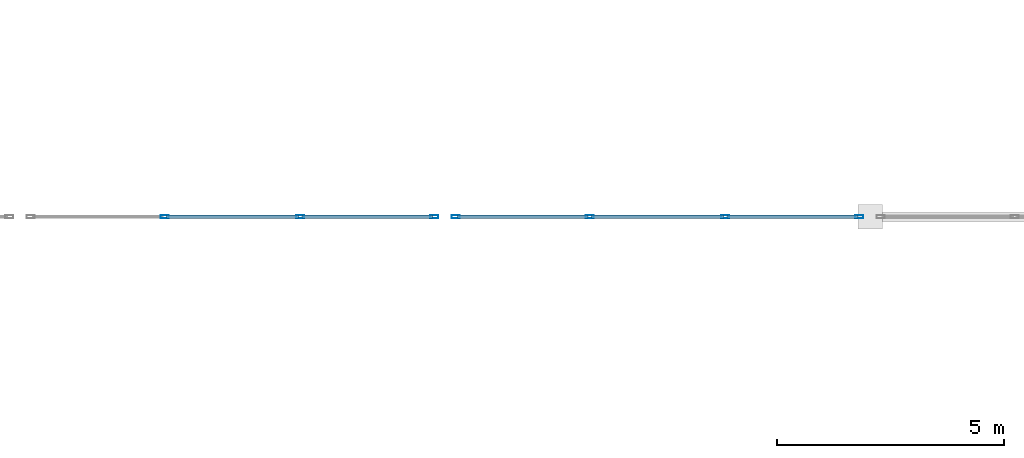
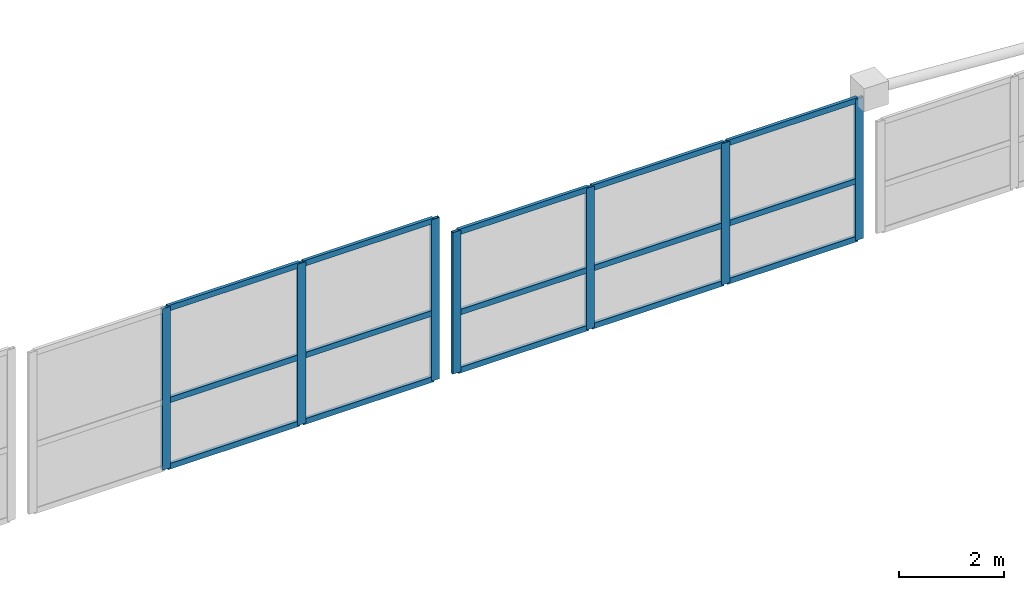
# One storey, part 38 of 60: 22 members, 2 elements without a shape of their own.
"""IFC4 building model written with IfcOpenShell, lengths in metres."""

from ifc_helpers import new_model, si_unit, direction, frame, origin, origin_2d, place, context, subcontext, project, spatial, hollow_rectangle, extrude, material, layer, layer_set, material_profile, profile_set, type_object, element, aggregate, save


model = new_model("IFC4")

# Units and contexts
model_context = context("Model", 3, precision=1e-05, world=origin(), true_north=direction((0.0, 1.0)))
body_context = subcontext(model_context, "Body", "Model", "MODEL_VIEW")
ifc_project = project(units=[si_unit("LENGTHUNIT", "METRE"), si_unit("AREAUNIT", "SQUARE_METRE"), si_unit("VOLUMEUNIT", "CUBIC_METRE"), si_unit("PLANEANGLEUNIT", "RADIAN"), si_unit("MASSUNIT", "GRAM", prefix="KILO")], contexts=[model_context])

# Site, building, storey
site_placement = place(None, origin())
site = spatial("IfcSite", under=ifc_project, at=site_placement, CompositionType="ELEMENT")
building_placement = place(site_placement, origin())
building = spatial("IfcBuilding", under=site, at=building_placement, Name="Quillay Park Conservatory", CompositionType="ELEMENT")
storey_placement = place(building_placement, frame((0.0, 0.0, 9.89990234375)))
storey = spatial("IfcBuildingStorey", under=building, at=storey_placement, Name="L02", CompositionType="ELEMENT", Elevation=9.89990234375)

# Curtain wall, members
ifc_material_1 = material(Name="Thermally Broken Anodised Aluminium 6063-T6", Category="aluminium")
ifc_layer = layer(ifc_material_1, 0.219970703125)
ifc_layer_set = layer_set([ifc_layer], Name="UNITISED CURTAIN WALL CONSERVATORY (Thermally Broken Anodised Aluminium 6063-T6)")
curtain_wall_type = type_object("IfcCurtainWallType", Name="UNITISED CURTAIN WALL CONSERVATORY", PredefinedType="USERDEFINED", material=ifc_layer_set)
curtain_wall_1_placement = place(storey_placement, origin())
curtain_wall_1 = element("IfcCurtainWall", 1, at=curtain_wall_1_placement, inside=storey, type_object=curtain_wall_type, Name="L02 Unitised Curtain Wall 192", ObjectType="UNITISED CURTAIN WALL", PredefinedType="USERDEFINED")
ifc_material_2 = material(Name="Thermally Broken Anodised Aluminium 6063-T6", Category="aluminium")
ifc_material_profile_1 = material_profile(ifc_material_2, hollow_rectangle(XDim=0.070068359375, YDim=0.179931640625, WallThickness=0.00390625, at=origin_2d()), Name="AL70x180x4")
ifc_profile_set_1 = profile_set([ifc_material_profile_1], Name="Thermally Broken Anodised Aluminium 6063-T6")
member_type_1 = type_object("IfcMemberType", Name="CURTAIN WALL MULLION 70 X180", PredefinedType="MULLION", material=ifc_profile_set_1)
member_1_placement = place(storey_placement, frame((86.54638671875, 85.550048828125, 0.7001953125), z_axis=(0.0, 0.0, 1.0), x_axis=(0.0, -1.0, 0.0)))
member_1 = element("IfcMember", 2, at=member_1_placement, type_object=member_type_1, Name="CW-C1 mullion 1", PredefinedType="MULLION", context=body_context, shape_type="SweptSolid", body=[
    extrude(hollow_rectangle(XDim=0.070068359375, YDim=0.179931640625, WallThickness=0.00390625, at=origin_2d()), origin(), (0.0, 0.0, 1.0), 3.763427734375),
])
member_2_placement = place(storey_placement, frame((83.597412109375, 85.550048828125, 0.7001953125), z_axis=(0.0, 0.0, 1.0), x_axis=(0.0, -1.0, 0.0)))
member_2 = element("IfcMember", 3, at=member_2_placement, type_object=member_type_1, Name="CW-C1 mullion 2", PredefinedType="MULLION", context=body_context, shape_type="SweptSolid", body=[
    extrude(hollow_rectangle(XDim=0.070068359375, YDim=0.179931640625, WallThickness=0.00390625, at=origin_2d()), origin(), (0.0, 0.0, 1.0), 3.763427734375),
])
member_3_placement = place(storey_placement, frame((80.613525390625, 85.550048828125, 0.7001953125), z_axis=(0.0, 0.0, 1.0), x_axis=(0.0, -1.0, 0.0)))
member_3 = element("IfcMember", 4, at=member_3_placement, type_object=member_type_1, Name="CW-C1 mullion 3", PredefinedType="MULLION", context=body_context, shape_type="SweptSolid", body=[
    extrude(hollow_rectangle(XDim=0.070068359375, YDim=0.179931640625, WallThickness=0.00390625, at=origin_2d()), origin(), (0.0, 0.0, 1.0), 3.763427734375),
])

curtain_wall_2_placement = place(storey_placement, origin())
curtain_wall_2 = element("IfcCurtainWall", 5, at=curtain_wall_2_placement, inside=storey, type_object=curtain_wall_type, Name="L02 Unitised Curtain Wall 193", ObjectType="UNITISED CURTAIN WALL", PredefinedType="USERDEFINED")
member_4_placement = place(storey_placement, frame((95.90185546875, 85.550048828125, 0.7001953125), z_axis=(0.0, 0.0, 1.0), x_axis=(0.0, -1.0, 0.0)))
member_4 = element("IfcMember", 6, at=member_4_placement, type_object=member_type_1, Name="CW-C1 mullion 1", PredefinedType="MULLION", context=body_context, shape_type="SweptSolid", body=[
    extrude(hollow_rectangle(XDim=0.070068359375, YDim=0.179931640625, WallThickness=0.00390625, at=origin_2d()), origin(), (0.0, 0.0, 1.0), 3.298583984375),
])
member_5_placement = place(storey_placement, frame((92.953125, 85.550048828125, 0.7001953125), z_axis=(0.0, 0.0, 1.0), x_axis=(0.0, -1.0, 0.0)))
member_5 = element("IfcMember", 7, at=member_5_placement, type_object=member_type_1, Name="CW-C1 mullion 2", PredefinedType="MULLION", context=body_context, shape_type="SweptSolid", body=[
    extrude(hollow_rectangle(XDim=0.070068359375, YDim=0.179931640625, WallThickness=0.00390625, at=origin_2d()), origin(), (0.0, 0.0, 1.0), 3.298583984375),
])
member_6_placement = place(storey_placement, frame((89.96923828125, 85.550048828125, 0.7001953125), z_axis=(0.0, 0.0, 1.0), x_axis=(0.0, -1.0, 0.0)))
member_6 = element("IfcMember", 8, at=member_6_placement, type_object=member_type_1, Name="CW-C1 mullion 3", PredefinedType="MULLION", context=body_context, shape_type="SweptSolid", body=[
    extrude(hollow_rectangle(XDim=0.070068359375, YDim=0.179931640625, WallThickness=0.00390625, at=origin_2d()), origin(), (0.0, 0.0, 1.0), 3.298583984375),
])
member_7_placement = place(storey_placement, frame((87.020263671875, 85.550048828125, 0.7001953125), z_axis=(0.0, 0.0, 1.0), x_axis=(0.0, -1.0, 0.0)))
member_7 = element("IfcMember", 9, at=member_7_placement, type_object=member_type_1, Name="CW-C1 mullion 4", PredefinedType="MULLION", context=body_context, shape_type="SweptSolid", body=[
    extrude(hollow_rectangle(XDim=0.070068359375, YDim=0.179931640625, WallThickness=0.00390625, at=origin_2d()), origin(), (0.0, 0.0, 1.0), 3.298583984375),
])

# Member
ifc_material_3 = material(Name="Thermally Broken Anodised Aluminium 6063-T6", Category="aluminium")
ifc_material_profile_2 = material_profile(ifc_material_3, hollow_rectangle(XDim=0.070068359375, YDim=0.1298828125, WallThickness=0.003173828125, at=origin_2d()), Name="AL70x130x3.2")
ifc_profile_set_2 = profile_set([ifc_material_profile_2], Name="Thermally Broken Anodised Aluminium 6063-T6")
member_type_2 = type_object("IfcMemberType", Name="CURTAIN WALL TRANSOM 70 X130", PredefinedType="USERDEFINED", material=ifc_profile_set_2)
member_8_placement = place(storey_placement, frame((86.51123046875, 85.550048828125, 0.735107421875), z_axis=(-1.0, 0.0, 0.0), x_axis=(0.0, -1.0, 0.0)))
member_8 = element("IfcMember", 10, at=member_8_placement, type_object=member_type_2, Name="CW-C1 transom 1.1", ObjectType="TRANSOM", PredefinedType="USERDEFINED", context=body_context, shape_type="SweptSolid", body=[
    extrude(hollow_rectangle(XDim=0.070068359375, YDim=0.1298828125, WallThickness=0.003173828125, at=origin_2d()), origin(), (0.0, 0.0, 1.0), 2.878662109375),
])

member_9_placement = place(storey_placement, frame((86.51123046875, 85.550048828125, 2.28076171875), z_axis=(-1.0, 0.0, 0.0), x_axis=(0.0, -1.0, 0.0)))
member_9 = element("IfcMember", 11, at=member_9_placement, type_object=member_type_2, Name="CW-C1 transom 1.2", ObjectType="TRANSOM", PredefinedType="USERDEFINED", context=body_context, shape_type="SweptSolid", body=[
    extrude(hollow_rectangle(XDim=0.070068359375, YDim=0.1298828125, WallThickness=0.003173828125, at=origin_2d()), origin(), (0.0, 0.0, 1.0), 2.878662109375),
])

member_10_placement = place(storey_placement, frame((86.51123046875, 85.550048828125, 4.4287109375), z_axis=(-1.0, 0.0, 0.0), x_axis=(0.0, -1.0, 0.0)))
member_10 = element("IfcMember", 12, at=member_10_placement, type_object=member_type_2, Name="CW-C1 transom 1.3", ObjectType="TRANSOM", PredefinedType="USERDEFINED", context=body_context, shape_type="SweptSolid", body=[
    extrude(hollow_rectangle(XDim=0.070068359375, YDim=0.1298828125, WallThickness=0.003173828125, at=origin_2d()), origin(), (0.0, 0.0, 1.0), 2.878662109375),
])

member_11_placement = place(storey_placement, frame((83.5625, 85.550048828125, 0.735107421875), z_axis=(-1.0, 0.0, 0.0), x_axis=(0.0, -1.0, 0.0)))
member_11 = element("IfcMember", 13, at=member_11_placement, type_object=member_type_2, Name="CW-C1 transom 2.1", ObjectType="TRANSOM", PredefinedType="USERDEFINED", context=body_context, shape_type="SweptSolid", body=[
    extrude(hollow_rectangle(XDim=0.070068359375, YDim=0.1298828125, WallThickness=0.003173828125, at=origin_2d()), origin(), (0.0, 0.0, 1.0), 2.913818359375),
])

member_12_placement = place(storey_placement, frame((83.5625, 85.550048828125, 2.28076171875), z_axis=(-1.0, 0.0, 0.0), x_axis=(0.0, -1.0, 0.0)))
member_12 = element("IfcMember", 14, at=member_12_placement, type_object=member_type_2, Name="CW-C1 transom 2.2", ObjectType="TRANSOM", PredefinedType="USERDEFINED", context=body_context, shape_type="SweptSolid", body=[
    extrude(hollow_rectangle(XDim=0.070068359375, YDim=0.1298828125, WallThickness=0.003173828125, at=origin_2d()), origin(), (0.0, 0.0, 1.0), 2.913818359375),
])

member_13_placement = place(storey_placement, frame((83.5625, 85.550048828125, 4.4287109375), z_axis=(-1.0, 0.0, 0.0), x_axis=(0.0, -1.0, 0.0)))
member_13 = element("IfcMember", 15, at=member_13_placement, type_object=member_type_2, Name="CW-C1 transom 2.3", ObjectType="TRANSOM", PredefinedType="USERDEFINED", context=body_context, shape_type="SweptSolid", body=[
    extrude(hollow_rectangle(XDim=0.070068359375, YDim=0.1298828125, WallThickness=0.003173828125, at=origin_2d()), origin(), (0.0, 0.0, 1.0), 2.913818359375),
])

aggregate(curtain_wall_1, [member_1, member_2, member_3, member_8, member_9, member_10, member_11, member_12, member_13])

member_14_placement = place(storey_placement, frame((95.866943359375, 85.550048828125, 0.735107421875), z_axis=(-1.0, 0.0, 0.0), x_axis=(0.0, -1.0, 0.0)))
member_14 = element("IfcMember", 16, at=member_14_placement, type_object=member_type_2, Name="CW-C1 transom 1.1", ObjectType="TRANSOM", PredefinedType="USERDEFINED", context=body_context, shape_type="SweptSolid", body=[
    extrude(hollow_rectangle(XDim=0.070068359375, YDim=0.1298828125, WallThickness=0.003173828125, at=origin_2d()), origin(), (0.0, 0.0, 1.0), 2.87890625),
])

member_15_placement = place(storey_placement, frame((95.866943359375, 85.550048828125, 2.085693359375), z_axis=(-1.0, 0.0, 0.0), x_axis=(0.0, -1.0, 0.0)))
member_15 = element("IfcMember", 17, at=member_15_placement, type_object=member_type_2, Name="CW-C1 transom 1.2", ObjectType="TRANSOM", PredefinedType="USERDEFINED", context=body_context, shape_type="SweptSolid", body=[
    extrude(hollow_rectangle(XDim=0.070068359375, YDim=0.1298828125, WallThickness=0.003173828125, at=origin_2d()), origin(), (0.0, 0.0, 1.0), 2.87890625),
])

member_16_placement = place(storey_placement, frame((95.866943359375, 85.550048828125, 3.9638671875), z_axis=(-1.0, 0.0, 0.0), x_axis=(0.0, -1.0, 0.0)))
member_16 = element("IfcMember", 18, at=member_16_placement, type_object=member_type_2, Name="CW-C1 transom 1.3", ObjectType="TRANSOM", PredefinedType="USERDEFINED", context=body_context, shape_type="SweptSolid", body=[
    extrude(hollow_rectangle(XDim=0.070068359375, YDim=0.1298828125, WallThickness=0.003173828125, at=origin_2d()), origin(), (0.0, 0.0, 1.0), 2.87890625),
])

member_17_placement = place(storey_placement, frame((92.91796875, 85.550048828125, 0.735107421875), z_axis=(-1.0, 0.0, 0.0), x_axis=(0.0, -1.0, 0.0)))
member_17 = element("IfcMember", 19, at=member_17_placement, type_object=member_type_2, Name="CW-C1 transom 2.1", ObjectType="TRANSOM", PredefinedType="USERDEFINED", context=body_context, shape_type="SweptSolid", body=[
    extrude(hollow_rectangle(XDim=0.070068359375, YDim=0.1298828125, WallThickness=0.003173828125, at=origin_2d()), origin(), (0.0, 0.0, 1.0), 2.913818359375),
])

member_18_placement = place(storey_placement, frame((92.91796875, 85.550048828125, 2.085693359375), z_axis=(-1.0, 0.0, 0.0), x_axis=(0.0, -1.0, 0.0)))
member_18 = element("IfcMember", 20, at=member_18_placement, type_object=member_type_2, Name="CW-C1 transom 2.2", ObjectType="TRANSOM", PredefinedType="USERDEFINED", context=body_context, shape_type="SweptSolid", body=[
    extrude(hollow_rectangle(XDim=0.070068359375, YDim=0.1298828125, WallThickness=0.003173828125, at=origin_2d()), origin(), (0.0, 0.0, 1.0), 2.913818359375),
])

member_19_placement = place(storey_placement, frame((92.91796875, 85.550048828125, 3.9638671875), z_axis=(-1.0, 0.0, 0.0), x_axis=(0.0, -1.0, 0.0)))
member_19 = element("IfcMember", 21, at=member_19_placement, type_object=member_type_2, Name="CW-C1 transom 2.3", ObjectType="TRANSOM", PredefinedType="USERDEFINED", context=body_context, shape_type="SweptSolid", body=[
    extrude(hollow_rectangle(XDim=0.070068359375, YDim=0.1298828125, WallThickness=0.003173828125, at=origin_2d()), origin(), (0.0, 0.0, 1.0), 2.913818359375),
])

member_20_placement = place(storey_placement, frame((89.93408203125, 85.550048828125, 0.735107421875), z_axis=(-1.0, 0.0, 0.0), x_axis=(0.0, -1.0, 0.0)))
member_20 = element("IfcMember", 22, at=member_20_placement, type_object=member_type_2, Name="CW-C1 transom 3.1", ObjectType="TRANSOM", PredefinedType="USERDEFINED", context=body_context, shape_type="SweptSolid", body=[
    extrude(hollow_rectangle(XDim=0.070068359375, YDim=0.1298828125, WallThickness=0.003173828125, at=origin_2d()), origin(), (0.0, 0.0, 1.0), 2.878662109375),
])

member_21_placement = place(storey_placement, frame((89.93408203125, 85.550048828125, 2.085693359375), z_axis=(-1.0, 0.0, 0.0), x_axis=(0.0, -1.0, 0.0)))
member_21 = element("IfcMember", 23, at=member_21_placement, type_object=member_type_2, Name="CW-C1 transom 3.2", ObjectType="TRANSOM", PredefinedType="USERDEFINED", context=body_context, shape_type="SweptSolid", body=[
    extrude(hollow_rectangle(XDim=0.070068359375, YDim=0.1298828125, WallThickness=0.003173828125, at=origin_2d()), origin(), (0.0, 0.0, 1.0), 2.878662109375),
])

member_22_placement = place(storey_placement, frame((89.93408203125, 85.550048828125, 3.9638671875), z_axis=(-1.0, 0.0, 0.0), x_axis=(0.0, -1.0, 0.0)))
member_22 = element("IfcMember", 24, at=member_22_placement, type_object=member_type_2, Name="CW-C1 transom 3.3", ObjectType="TRANSOM", PredefinedType="USERDEFINED", context=body_context, shape_type="SweptSolid", body=[
    extrude(hollow_rectangle(XDim=0.070068359375, YDim=0.1298828125, WallThickness=0.003173828125, at=origin_2d()), origin(), (0.0, 0.0, 1.0), 2.878662109375),
])

aggregate(curtain_wall_2, [member_4, member_5, member_6, member_7, member_14, member_15, member_16, member_17, member_18, member_19, member_20, member_21, member_22])

save(model, "model.ifc")
